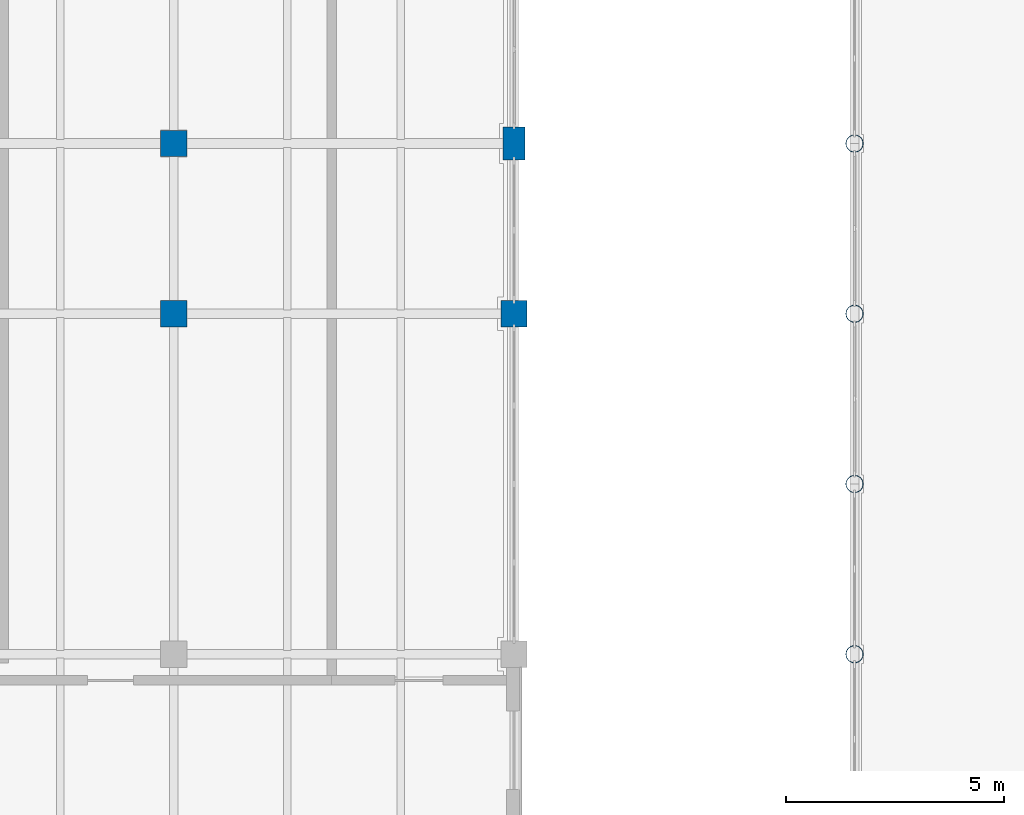
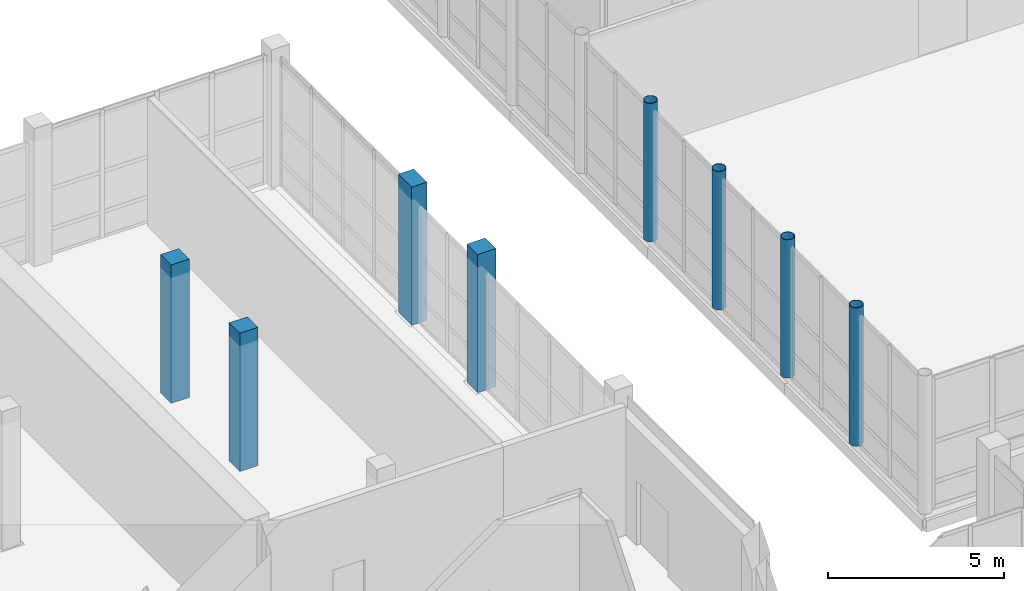
# One storey, part 7 of 131: 8 columns.
"""IFC4 building model written with IfcOpenShell, lengths in metres."""

from ifc_helpers import new_model, si_unit, direction, frame, origin, origin_2d, place, context, subcontext, project, spatial, rectangle, hollow_circle, extrude, material, material_profile, profile_set, type_object, element, save


model = new_model("IFC4")

# Units and contexts
model_context = context("Model", 3, precision=1e-05, world=origin(), true_north=direction((0.0, 1.0)))
body_context = subcontext(model_context, "Body", "Model", "MODEL_VIEW")
ifc_project = project(units=[si_unit("LENGTHUNIT", "METRE"), si_unit("AREAUNIT", "SQUARE_METRE"), si_unit("VOLUMEUNIT", "CUBIC_METRE"), si_unit("PLANEANGLEUNIT", "RADIAN"), si_unit("MASSUNIT", "GRAM", prefix="KILO")], contexts=[model_context])

# Site, building, storey
site_placement = place(None, origin())
site = spatial("IfcSite", under=ifc_project, at=site_placement, CompositionType="ELEMENT")
building_placement = place(site_placement, origin())
building = spatial("IfcBuilding", under=site, at=building_placement, Name="Celorna Specialist Clinic", CompositionType="ELEMENT")
storey_placement = place(building_placement, origin())
storey = spatial("IfcBuildingStorey", under=building, at=storey_placement, Name="L00", CompositionType="ELEMENT", Elevation=0.0)

# Columns
ifc_material_1 = material(Name="Concrete C40/50", Category="concrete")
ifc_material_profile_1 = material_profile(ifc_material_1, rectangle(XDim=0.60009765625, YDim=0.60009765625, at=origin_2d()), Name="RC 600x600")
ifc_profile_set_1 = profile_set([ifc_material_profile_1], Name="Concrete C40/50")
column_type_1 = type_object("IfcColumnType", Name="CT-04", PredefinedType="COLUMN", material=ifc_profile_set_1)
for number, where, z_axis, x_axis, name in (
    (1, (39.0, 58.5, 0.0), (0.0, 0.0, 1.0), (1.0, 0.0, 0.0), "Column CT-04 L00 X06/YL"),
    (2, (39.0, 62.39990234375, 0.0), (0.0, 0.0, 1.0), (1.0, 0.0, 0.0), "Column CT-04 L00 X06/YM"),
    (3, (46.800048828125, 58.5, 0.0), (0.0, 0.0, 1.0), (1.0, 0.0, 0.0), "Column CT-04 L00 X07/YL"),
):
    element("IfcColumn", number, at=place(storey_placement, frame(where, z_axis=z_axis, x_axis=x_axis)), inside=storey, type_object=column_type_1, Name=name, PredefinedType="COLUMN", context=body_context, shape_type="SweptSolid", body=[
        extrude(rectangle(XDim=0.60009765625, YDim=0.60009765625, at=origin_2d()), origin(), (0.0, 0.0, 1.0), 4.800048828125),
    ])
ifc_material_profile_2 = material_profile(ifc_material_1, rectangle(XDim=0.5, YDim=0.75, at=origin_2d()), Name="RC 500x750")
ifc_profile_set_2 = profile_set([ifc_material_profile_2], Name="Concrete C40/50")
column_type_2 = type_object("IfcColumnType", Name="CT-09", PredefinedType="COLUMN", material=ifc_profile_set_2)
column_placement = place(storey_placement, frame((46.800048828125, 62.39990234375, 0.0), z_axis=(0.0, 0.0, 1.0), x_axis=(1.0, 0.0, 0.0)))
element("IfcColumn", 4, at=column_placement, inside=storey, type_object=column_type_2, Name="Column CT-09 L00 X07/YM", PredefinedType="COLUMN", context=body_context, shape_type="SweptSolid", body=[
    extrude(rectangle(XDim=0.5, YDim=0.75, at=origin_2d()), origin(), (0.0, 0.0, 1.0), 4.800048828125),
])
ifc_material_2 = material(Name="Steel S355", Category="steel")
ifc_material_profile_3 = material_profile(ifc_material_2, hollow_circle(Radius=0.203125, WallThickness=0.01611328125, at=origin_2d()), Name="CHS 406.4x16")
ifc_profile_set_3 = profile_set([ifc_material_profile_3], Name="Steel S355")
column_type_3 = type_object("IfcColumnType", Name="CT-12", PredefinedType="COLUMN", material=ifc_profile_set_3)
for number, where, z_axis, x_axis, name in (
    (5, (54.60009765625, 50.699951171875, 0.0), (0.0, 0.0, 1.0), (1.0, 0.0, 0.0), "Column CT-12 L00 X08/YK"),
    (6, (54.60009765625, 54.60009765625, 0.0), (0.0, 0.0, 1.0), (1.0, 0.0, 0.0), "Column CT-12 L00 X08/YK"),
    (7, (54.60009765625, 58.5, 0.0), (0.0, 0.0, 1.0), (1.0, 0.0, 0.0), "Column CT-12 L00 X08/YL"),
    (8, (54.60009765625, 62.39990234375, 0.0), (0.0, 0.0, 1.0), (1.0, 0.0, 0.0), "Column CT-12 L00 X08/YM"),
):
    element("IfcColumn", number, at=place(storey_placement, frame(where, z_axis=z_axis, x_axis=x_axis)), inside=storey, type_object=column_type_3, Name=name, PredefinedType="COLUMN", context=body_context, shape_type="SweptSolid", body=[
        extrude(hollow_circle(Radius=0.203125, WallThickness=0.01611328125, at=origin_2d()), origin(), (0.0, 0.0, 1.0), 4.800048828125),
    ])

save(model, "model.ifc")
